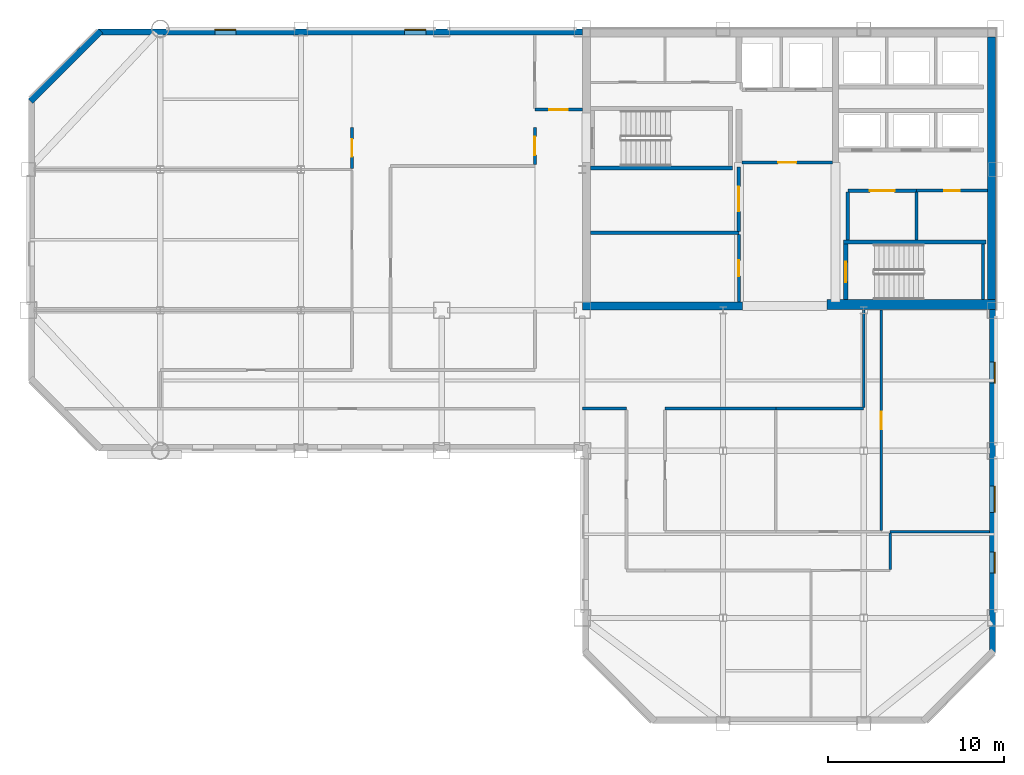
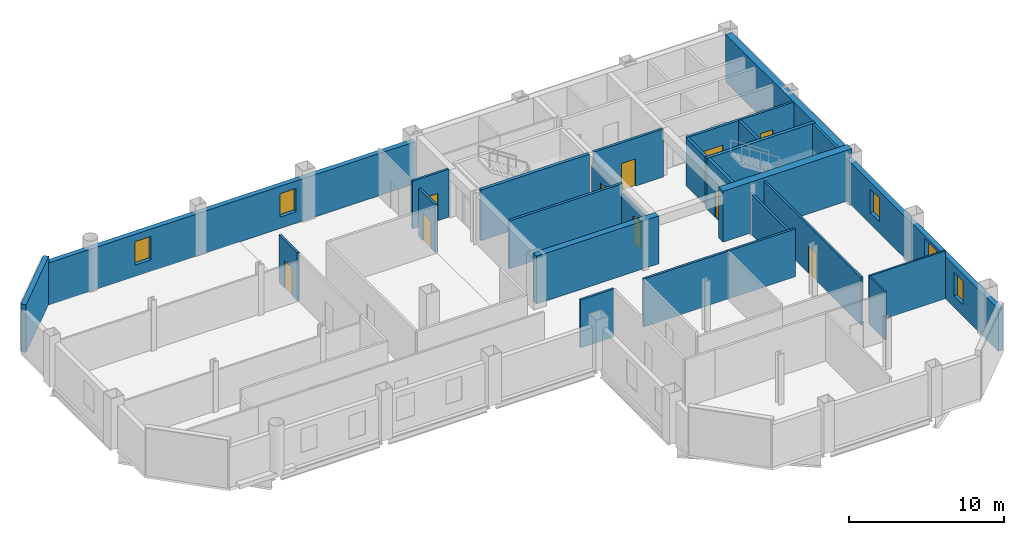
# One storey, part 5 of 10: 28 walls, 10 doors, 5 windows, 15 openings.
"""IFC4 building model written with IfcOpenShell, lengths in metres."""

from ifc_helpers import new_model, si_unit, direction, frame, frame_2d, origin, place, context, subcontext, project, spatial, rectangle, extrude, material, layer, layer_set, type_object, element, fill, save


model = new_model("IFC4")

# Units and contexts
model_context = context("Model", 3, precision=1e-05, world=origin(), true_north=direction((0.0, 1.0)))
body_context = subcontext(model_context, "Body", "Model", "MODEL_VIEW")
ifc_project = project(units=[si_unit("LENGTHUNIT", "METRE"), si_unit("AREAUNIT", "SQUARE_METRE"), si_unit("VOLUMEUNIT", "CUBIC_METRE"), si_unit("PLANEANGLEUNIT", "RADIAN"), si_unit("MASSUNIT", "GRAM", prefix="KILO")], contexts=[model_context])

# Site, building, storey
site_placement = place(None, origin())
site = spatial("IfcSite", under=ifc_project, at=site_placement, CompositionType="ELEMENT")
building_placement = place(site_placement, origin())
building = spatial("IfcBuilding", under=site, at=building_placement, Name="Qianrong Seaharbour Tower", CompositionType="ELEMENT")
storey_placement = place(building_placement, frame((0.0, 0.0, 249.800048828125)))
storey = spatial("IfcBuildingStorey", under=building, at=storey_placement, Name="L60", CompositionType="ELEMENT", Elevation=249.800048828125)

# Walls
ifc_material_1 = material(Name="Concrete C60/75", Category="concrete")
ifc_layer_1 = layer(ifc_material_1, 0.4599609375)
ifc_layer_set_1 = layer_set([ifc_layer_1], Name="Concrete C60/75")
wall_type_1 = type_object("IfcWallType", Name="WALL-CORE-460", PredefinedType="SHEAR", material=ifc_layer_set_1)
wall_1_placement = place(storey_placement, frame((63.77001953125, 36.320068359375, 0.0), z_axis=(0.0, 0.0, 1.0), x_axis=(0.0, 1.0, 0.0)))
element("IfcWall", 1, at=wall_1_placement, inside=storey, type_object=wall_type_1, Name="L60 East Core Shear Wall", PredefinedType="SHEAR", context=body_context, shape_type="SweptSolid", body=[
    extrude(rectangle(XDim=15.219970703125, YDim=0.4599609375, at=frame_2d((7.60986328125, 0.0))), origin(), (0.0, 0.0, 1.0), 3.77490234375),
])
wall_2_placement = place(storey_placement, frame((40.5, 36.22998046875, 0.0), z_axis=(0.0, 0.0, 1.0), x_axis=(1.0, 0.0, 0.0)))
element("IfcWall", 2, at=wall_2_placement, inside=storey, type_object=wall_type_1, Name="L60 South Core Shear Wall S1", PredefinedType="SHEAR", context=body_context, shape_type="SweptSolid", body=[
    extrude(rectangle(XDim=9.10009765625, YDim=0.4599609375, at=frame_2d((4.550048828125, 0.0))), origin(), (0.0, 0.0, 1.0), 3.77490234375),
])
ifc_material_2 = material(Name="Concrete C70/85", Category="concrete")
ifc_layer_2 = layer(ifc_material_2, 0.580078125)
ifc_layer_set_2 = layer_set([ifc_layer_2], Name="Concrete C70/85")
wall_type_2 = type_object("IfcWallType", Name="WALL-CORE-580", PredefinedType="SHEAR", material=ifc_layer_set_2)
wall_3_placement = place(storey_placement, frame((54.39990234375, 36.320068359375, 0.0), z_axis=(0.0, 0.0, 1.0), x_axis=(1.0, 0.0, 0.0)))
element("IfcWall", 3, at=wall_3_placement, inside=storey, type_object=wall_type_2, Name="L60 South Core Shear Wall S3", PredefinedType="SHEAR", context=body_context, shape_type="SweptSolid", body=[
    extrude(rectangle(XDim=9.60009765625, YDim=0.580078125, at=frame_2d((4.800048828125, 0.0))), origin(), (0.0, 0.0, 1.0), 4.0),
])

# Wall, opening, door
ifc_material_3 = material(Name="Fire-rated acoustic gypsum board partition")
ifc_layer_3 = layer(ifc_material_3, 0.1650390625)
ifc_layer_set_3 = layer_set([ifc_layer_3], Name="Fire-rated acoustic gypsum board partition")
wall_type_3 = type_object("IfcWallType", Name="WALL-CORR-PART-165", PredefinedType="PARTITIONING", material=ifc_layer_set_3)
wall_4_placement = place(storey_placement, frame((37.800048828125, 47.39990234375, 0.0), z_axis=(0.0, 0.0, 1.0), x_axis=(1.0, 0.0, 0.0)))
wall_4 = element("IfcWall", 4, at=wall_4_placement, inside=storey, type_object=wall_type_3, Name="L60 Interior Partition Wall 001", PredefinedType="PARTITIONING", context=body_context, shape_type="SweptSolid", body=[
    extrude(rectangle(XDim=2.699951171875, YDim=0.1650390625, at=frame_2d((1.35009765625, 0.0))), origin(), (0.0, 0.0, 1.0), 3.77490234375),
])
opening_1_placement = place(wall_4_placement, frame((0.824951171875, 0.0, 0.0)))
opening_1 = element("IfcOpeningElement", 5, at=opening_1_placement, cuts=wall_4, Name="Opening DC-01", PredefinedType="OPENING", context=body_context, shape_type="SweptSolid", body=[
    extrude(rectangle(XDim=1.050048828125, YDim=2.14990234375, at=frame_2d((0.52490234375, 1.074951171875))), frame((0.0, 0.092529296875, 0.0), z_axis=(0.0, -1.0, 0.0), x_axis=(1.0, 0.0, 0.0)), (0.0, 0.0, 1.0), 0.18505859375),
])
ifc_material_4 = material(Name="Acoustic timber and galvanized steel fire door assembly", Category="steel")
door_type_1 = type_object("IfcDoorType", Name="DOOR-CORR-FD60-1050x2150", OperationType="NOTDEFINED", PredefinedType="DOOR", material=ifc_material_4)
door_1_placement = place(opening_1_placement, origin())
door_1 = element("IfcDoor", 6, at=door_1_placement, inside=storey, type_object=door_type_1, Name="L60 Smokeproof Stair Vestibule ST-1 Door", OperationType="SINGLE_SWING_LEFT", OverallHeight=2.14990234375, OverallWidth=1.050048828125, PredefinedType="DOOR", context=body_context, shape_type="SweptSolid", body=[
    extrude(rectangle(XDim=1.050048828125, YDim=2.14990234375, at=frame_2d((0.52490234375, 1.074951171875))), frame((0.0, 0.02490234375, 0.0), z_axis=(0.0, -1.0, 0.0), x_axis=(1.0, 0.0, 0.0)), (0.0, 0.0, 1.0), 0.050048828125),
])
fill(opening_1, door_1)

wall_5_placement = place(storey_placement, frame((37.800048828125, 44.2744140625, 0.0), z_axis=(0.0, 0.0, 1.0), x_axis=(0.0, 1.0, 0.0)))
wall_5 = element("IfcWall", 7, at=wall_5_placement, inside=storey, type_object=wall_type_3, Name="L60 Interior Partition Wall 002", PredefinedType="PARTITIONING", context=body_context, shape_type="SweptSolid", body=[
    extrude(rectangle(XDim=2.12548828125, YDim=0.1650390625, at=frame_2d((1.062744140625, 0.0))), origin(), (0.0, 0.0, 1.0), 3.77490234375),
])
opening_2_placement = place(wall_5_placement, frame((0.537841796875, 0.0, 0.0)))
opening_2 = element("IfcOpeningElement", 8, at=opening_2_placement, cuts=wall_5, Name="Opening DC-01", PredefinedType="OPENING", context=body_context, shape_type="SweptSolid", body=[
    extrude(rectangle(XDim=1.050048828125, YDim=2.14990234375, at=frame_2d((0.52490234375, 1.074951171875))), frame((0.0, 0.092529296875, 0.0), z_axis=(0.0, -1.0, 0.0), x_axis=(1.0, 0.0, 0.0)), (0.0, 0.0, 1.0), 0.18505859375),
])
door_2_placement = place(opening_2_placement, origin())
door_2 = element("IfcDoor", 9, at=door_2_placement, inside=storey, type_object=door_type_1, Name="L60 Smokeproof Stair Vestibule ST-1 Door", OperationType="SINGLE_SWING_RIGHT", OverallHeight=2.14990234375, OverallWidth=1.050048828125, PredefinedType="DOOR", context=body_context, shape_type="SweptSolid", body=[
    extrude(rectangle(XDim=1.050048828125, YDim=2.14990234375, at=frame_2d((0.52490234375, 1.074951171875))), frame((0.0, 0.02490234375, 0.0), z_axis=(0.0, -1.0, 0.0), x_axis=(1.0, 0.0, 0.0)), (0.0, 0.0, 1.0), 0.050048828125),
])
fill(opening_2, door_2)

wall_6_placement = place(storey_placement, frame((49.39990234375, 36.4599609375, 0.0), z_axis=(0.0, 0.0, 1.0), x_axis=(0.0, 1.0, 0.0)))
wall_6 = element("IfcWall", 10, at=wall_6_placement, inside=storey, type_object=wall_type_3, Name="L60 Interior Partition Wall 007", PredefinedType="PARTITIONING", context=body_context, shape_type="SweptSolid", body=[
    extrude(rectangle(XDim=3.85302734375, YDim=0.1650390625, at=frame_2d((1.926513671875, 0.0))), origin(), (0.0, 0.0, 1.0), 3.016845703125),
])
opening_3_placement = place(wall_6_placement, frame((1.4765625, 0.0, 0.0)))
opening_3 = element("IfcOpeningElement", 11, at=opening_3_placement, cuts=wall_6, Name="Opening DS-01", PredefinedType="OPENING", context=body_context, shape_type="SweptSolid", body=[
    extrude(rectangle(XDim=0.89990234375, YDim=2.14990234375, at=frame_2d((0.449951171875, 1.074951171875))), frame((0.0, 0.092529296875, 0.0), z_axis=(0.0, -1.0, 0.0), x_axis=(1.0, 0.0, 0.0)), (0.0, 0.0, 1.0), 0.18505859375),
])
door_type_2 = type_object("IfcDoorType", Name="DOOR-STORE-900x2150", OperationType="NOTDEFINED", PredefinedType="DOOR", material=ifc_material_4)
door_3_placement = place(opening_3_placement, origin())
door_3 = element("IfcDoor", 12, at=door_3_placement, inside=storey, type_object=door_type_2, Name="L60 Corporate Archive Room Door", OperationType="SINGLE_SWING_LEFT", OverallHeight=2.14990234375, OverallWidth=0.89990234375, PredefinedType="DOOR", context=body_context, shape_type="SweptSolid", body=[
    extrude(rectangle(XDim=0.89990234375, YDim=2.14990234375, at=frame_2d((0.449951171875, 1.074951171875))), frame((0.0, 0.02490234375, 0.0), z_axis=(0.0, -1.0, 0.0), x_axis=(1.0, 0.0, 0.0)), (0.0, 0.0, 1.0), 0.050048828125),
])
fill(opening_3, door_3)

wall_7_placement = place(storey_placement, frame((63.5400390625, 42.800048828125, 0.0), z_axis=(0.0, 0.0, 1.0), x_axis=(-1.0, 0.0, 0.0)))
wall_7 = element("IfcWall", 13, at=wall_7_placement, inside=storey, type_object=wall_type_3, Name="L60 Interior Partition Wall 012", PredefinedType="PARTITIONING", context=body_context, shape_type="SweptSolid", body=[
    extrude(rectangle(XDim=4.0400390625, YDim=0.1650390625, at=frame_2d((2.02001953125, 0.0))), origin(), (0.0, 0.0, 1.0), 3.77490234375),
])
opening_4_placement = place(wall_7_placement, frame((1.570068359375, 0.0, 0.0)))
opening_4 = element("IfcOpeningElement", 14, at=opening_4_placement, cuts=wall_7, Name="Opening DS-01", PredefinedType="OPENING", context=body_context, shape_type="SweptSolid", body=[
    extrude(rectangle(XDim=0.89990234375, YDim=2.14990234375, at=frame_2d((0.449951171875, 1.074951171875))), frame((0.0, 0.092529296875, 0.0), z_axis=(0.0, -1.0, 0.0), x_axis=(1.0, 0.0, 0.0)), (0.0, 0.0, 1.0), 0.18505859375),
])
door_4_placement = place(opening_4_placement, origin())
door_4 = element("IfcDoor", 15, at=door_4_placement, inside=storey, type_object=door_type_2, Name="L60 Cleaner Store Room Door", OperationType="SINGLE_SWING_RIGHT", OverallHeight=2.14990234375, OverallWidth=0.89990234375, PredefinedType="DOOR", context=body_context, shape_type="SweptSolid", body=[
    extrude(rectangle(XDim=0.89990234375, YDim=2.14990234375, at=frame_2d((0.449951171875, 1.074951171875))), frame((0.0, 0.02490234375, 0.0), z_axis=(0.0, -1.0, 0.0), x_axis=(1.0, 0.0, 0.0)), (0.0, 0.0, 1.0), 0.050048828125),
])
fill(opening_4, door_4)

wall_8_placement = place(storey_placement, frame((27.39990234375, 44.056884765625, 0.0), z_axis=(0.0, 0.0, 1.0), x_axis=(0.0, 1.0, 0.0)))
wall_8 = element("IfcWall", 16, at=wall_8_placement, inside=storey, type_object=wall_type_3, Name="L60 Interior Partition Wall 022", PredefinedType="PARTITIONING", context=body_context, shape_type="SweptSolid", body=[
    extrude(rectangle(XDim=2.343017578125, YDim=0.1650390625, at=frame_2d((1.17138671875, 0.0))), origin(), (0.0, 0.0, 1.0), 3.77490234375),
])
opening_5_placement = place(wall_8_placement, frame((0.67138671875, 0.0, 0.0)))
opening_5 = element("IfcOpeningElement", 17, at=opening_5_placement, cuts=wall_8, Name="Opening DO-01", PredefinedType="OPENING", context=body_context, shape_type="SweptSolid", body=[
    extrude(rectangle(XDim=1.0, YDim=2.14990234375, at=frame_2d((0.5, 1.074951171875))), frame((0.0, 0.092529296875, 0.0), z_axis=(0.0, -1.0, 0.0), x_axis=(1.0, 0.0, 0.0)), (0.0, 0.0, 1.0), 0.18505859375),
])
door_type_3 = type_object("IfcDoorType", Name="DOOR-OFFICE-1000x2150", OperationType="NOTDEFINED", PredefinedType="DOOR", material=ifc_material_4)
door_5_placement = place(opening_5_placement, origin())
door_5 = element("IfcDoor", 18, at=door_5_placement, inside=storey, type_object=door_type_3, Name="L60 Hospitality Dining Room 3 Door", OperationType="SINGLE_SWING_RIGHT", OverallHeight=2.14990234375, OverallWidth=1.0, PredefinedType="DOOR", context=body_context, shape_type="SweptSolid", body=[
    extrude(rectangle(XDim=1.0, YDim=2.14990234375, at=frame_2d((0.5, 1.074951171875))), frame((0.0, 0.02490234375, 0.0), z_axis=(0.0, -1.0, 0.0), x_axis=(1.0, 0.0, 0.0)), (0.0, 0.0, 1.0), 0.050048828125),
])
fill(opening_5, door_5)

# Walls
wall_9_placement = place(storey_placement, frame((51.5, 30.39990234375, 0.0), z_axis=(0.0, 0.0, 1.0), x_axis=(-1.0, 0.0, 0.0)))
element("IfcWall", 19, at=wall_9_placement, inside=storey, type_object=wall_type_3, Name="L60 Interior Partition Wall 025", PredefinedType="PARTITIONING", context=body_context, shape_type="SweptSolid", body=[
    extrude(rectangle(XDim=6.300048828125, YDim=0.1650390625, at=frame_2d((3.14990234375, 0.0))), origin(), (0.0, 0.0, 1.0), 3.77490234375),
])
wall_10_placement = place(storey_placement, frame((56.5, 36.0, 0.0), z_axis=(0.0, 0.0, 1.0), x_axis=(0.0, -1.0, 0.0)))
element("IfcWall", 20, at=wall_10_placement, inside=storey, type_object=wall_type_3, Name="L60 Interior Partition Wall 026", PredefinedType="PARTITIONING", context=body_context, shape_type="SweptSolid", body=[
    extrude(rectangle(XDim=5.525390625, YDim=0.1650390625, at=frame_2d((2.7626953125, 0.0))), origin(), (0.0, 0.0, 1.0), 3.178955078125),
])
wall_11_placement = place(storey_placement, frame((56.5, 30.39990234375, 0.0), z_axis=(0.0, 0.0, 1.0), x_axis=(-1.0, 0.0, 0.0)))
element("IfcWall", 21, at=wall_11_placement, inside=storey, type_object=wall_type_3, Name="L60 Interior Partition Wall 027", PredefinedType="PARTITIONING", context=body_context, shape_type="SweptSolid", body=[
    extrude(rectangle(XDim=5.0, YDim=0.1650390625, at=frame_2d((2.5, 0.0))), origin(), (0.0, 0.0, 1.0), 3.77490234375),
])
wall_12_placement = place(storey_placement, frame((43.0, 30.39990234375, 0.0), z_axis=(0.0, 0.0, 1.0), x_axis=(-1.0, 0.0, 0.0)))
element("IfcWall", 22, at=wall_12_placement, inside=storey, type_object=wall_type_3, Name="L60 Interior Partition Wall 028", PredefinedType="PARTITIONING", context=body_context, shape_type="SweptSolid", body=[
    extrude(rectangle(XDim=2.5, YDim=0.1650390625, at=frame_2d((1.25, 0.0))), origin(), (0.0, 0.0, 1.0), 3.77490234375),
])
ifc_material_5 = material(Name="Unitised red brick on Precast concrete C45/55", Category="masonry")
ifc_layer_4 = layer(ifc_material_5, 0.360107421875)
ifc_layer_set_4 = layer_set([ifc_layer_4], Name="Unitised red brick on Precast concrete C45/55")
wall_type_4 = type_object("IfcWallType", Name="WALL-EXT-BRICK-RED-360", PredefinedType="SOLIDWALL", material=ifc_layer_set_4)
wall_13_placement = place(storey_placement, frame((9.127197265625, 47.872802734375, 0.0), z_axis=(0.0, 0.0, 1.0), x_axis=(0.707106781187, 0.707106781187, 0.0)))
element("IfcWall", 23, at=wall_13_placement, inside=storey, type_object=wall_type_4, Name="L60 Exterior Masonry Facade Wall E04", PredefinedType="SOLIDWALL", context=body_context, shape_type="SweptSolid", body=[
    extrude(rectangle(XDim=5.65673828125, YDim=0.360107421875, at=frame_2d((2.828369140625, 0.0))), origin(), (0.0, 0.0, 1.0), 3.77490234375),
])

# Wall, openings, windows
wall_14_placement = place(storey_placement, frame((13.0, 51.820068359375, 0.0), z_axis=(0.0, 0.0, 1.0), x_axis=(1.0, 0.0, 0.0)))
wall_14 = element("IfcWall", 24, at=wall_14_placement, inside=storey, type_object=wall_type_4, Name="L60 Exterior Masonry Facade Wall NORTH_WING", PredefinedType="SOLIDWALL", context=body_context, shape_type="SweptSolid", body=[
    extrude(rectangle(XDim=27.52001953125, YDim=0.360107421875, at=frame_2d((13.760009765625, 0.0))), origin(), (0.0, 0.0, 1.0), 3.324951171875),
])
opening_6_placement = place(wall_14_placement, frame((6.60009765625, 0.0, 0.89990234375)))
opening_6 = element("IfcOpeningElement", 25, at=opening_6_placement, cuts=wall_14, Name="Opening WN-01", PredefinedType="OPENING", context=body_context, shape_type="SweptSolid", body=[
    extrude(rectangle(XDim=1.199951171875, YDim=1.85009765625, at=frame_2d((0.60009765625, 0.925048828125))), frame((0.0, 0.18994140625, 0.0), z_axis=(0.0, -1.0, 0.0), x_axis=(1.0, 0.0, 0.0)), (0.0, 0.0, 1.0), 0.380126953125),
])
opening_7_placement = place(wall_14_placement, frame((17.39990234375, 0.0, 0.89990234375)))
opening_7 = element("IfcOpeningElement", 26, at=opening_7_placement, cuts=wall_14, Name="Opening WN-01", PredefinedType="OPENING", context=body_context, shape_type="SweptSolid", body=[
    extrude(rectangle(XDim=1.199951171875, YDim=1.85009765625, at=frame_2d((0.60009765625, 0.925048828125))), frame((0.0, 0.18994140625, 0.0), z_axis=(0.0, -1.0, 0.0), x_axis=(1.0, 0.0, 0.0)), (0.0, 0.0, 1.0), 0.380126953125),
])
ifc_material_6 = material(Name="Insulated low-e double glazing in thermally broken aluminium 6063-T6 frame", Category="aluminium")
window_type_1 = type_object("IfcWindowType", Name="WIN-PUNCH-1200x1850", PartitioningType="DOUBLE_PANEL_VERTICAL", PredefinedType="WINDOW", material=ifc_material_6)
window_1_placement = place(opening_6_placement, origin())
window_1 = element("IfcWindow", 27, at=window_1_placement, inside=storey, type_object=window_type_1, Name="L60 Deep-Set Punched Window 05.02", OverallHeight=1.85009765625, OverallWidth=1.199951171875, PartitioningType="DOUBLE_PANEL_VERTICAL", PredefinedType="WINDOW", context=body_context, shape_type="SweptSolid", body=[
    extrude(rectangle(XDim=1.199951171875, YDim=1.85009765625, at=frame_2d((0.60009765625, 0.925048828125))), frame((0.0, 0.150146484375, 0.0), z_axis=(0.0, -1.0, 0.0), x_axis=(1.0, 0.0, 0.0)), (0.0, 0.0, 1.0), 0.06005859375),
])
fill(opening_6, window_1)
window_2_placement = place(opening_7_placement, origin())
window_2 = element("IfcWindow", 28, at=window_2_placement, inside=storey, type_object=window_type_1, Name="L60 Deep-Set Punched Window 05.05", OverallHeight=1.85009765625, OverallWidth=1.199951171875, PartitioningType="DOUBLE_PANEL_VERTICAL", PredefinedType="WINDOW", context=body_context, shape_type="SweptSolid", body=[
    extrude(rectangle(XDim=1.199951171875, YDim=1.85009765625, at=frame_2d((0.60009765625, 0.925048828125))), frame((0.0, 0.150146484375, 0.0), z_axis=(0.0, -1.0, 0.0), x_axis=(1.0, 0.0, 0.0)), (0.0, 0.0, 1.0), 0.06005859375),
])
fill(opening_7, window_2)

wall_15_placement = place(storey_placement, frame((63.820068359375, 36.050048828125, 0.0), z_axis=(0.0, 0.0, 1.0), x_axis=(0.0, -1.0, 0.0)))
wall_15 = element("IfcWall", 29, at=wall_15_placement, inside=storey, type_object=wall_type_4, Name="L60 Exterior Masonry Facade Wall EAST_WING", PredefinedType="SOLIDWALL", context=body_context, shape_type="SweptSolid", body=[
    extrude(rectangle(XDim=19.550048828125, YDim=0.360107421875, at=frame_2d((9.77490234375, 0.0))), origin(), (0.0, 0.0, 1.0), 3.324951171875),
])
opening_8_placement = place(wall_15_placement, frame((3.0, 0.0, 0.89990234375)))
opening_8 = element("IfcOpeningElement", 30, at=opening_8_placement, cuts=wall_15, Name="Opening WN-01", PredefinedType="OPENING", context=body_context, shape_type="SweptSolid", body=[
    extrude(rectangle(XDim=1.199951171875, YDim=1.85009765625, at=frame_2d((0.60009765625, 0.925048828125))), frame((0.0, 0.18994140625, 0.0), z_axis=(0.0, -1.0, 0.0), x_axis=(1.0, 0.0, 0.0)), (0.0, 0.0, 1.0), 0.380126953125),
])
opening_9_placement = place(wall_15_placement, frame((10.050048828125, 0.0, 0.699951171875)))
opening_9 = element("IfcOpeningElement", 31, at=opening_9_placement, cuts=wall_15, Name="Opening WN-08", PredefinedType="OPENING", context=body_context, shape_type="SweptSolid", body=[
    extrude(rectangle(XDim=1.5, YDim=2.39990234375, at=frame_2d((0.75, 1.199951171875))), frame((0.0, 0.18994140625, 0.0), z_axis=(0.0, -1.0, 0.0), x_axis=(1.0, 0.0, 0.0)), (0.0, 0.0, 1.0), 0.380126953125),
])
opening_10_placement = place(wall_15_placement, frame((13.800048828125, 0.0, 0.89990234375)))
opening_10 = element("IfcOpeningElement", 32, at=opening_10_placement, cuts=wall_15, Name="Opening WN-01", PredefinedType="OPENING", context=body_context, shape_type="SweptSolid", body=[
    extrude(rectangle(XDim=1.199951171875, YDim=1.85009765625, at=frame_2d((0.60009765625, 0.925048828125))), frame((0.0, 0.18994140625, 0.0), z_axis=(0.0, -1.0, 0.0), x_axis=(1.0, 0.0, 0.0)), (0.0, 0.0, 1.0), 0.380126953125),
])
window_3_placement = place(opening_8_placement, origin())
window_3 = element("IfcWindow", 33, at=window_3_placement, inside=storey, type_object=window_type_1, Name="L60 Deep-Set Punched Window 06.01", OverallHeight=1.85009765625, OverallWidth=1.199951171875, PartitioningType="DOUBLE_PANEL_VERTICAL", PredefinedType="WINDOW", context=body_context, shape_type="SweptSolid", body=[
    extrude(rectangle(XDim=1.199951171875, YDim=1.85009765625, at=frame_2d((0.60009765625, 0.925048828125))), frame((0.0, 0.150146484375, 0.0), z_axis=(0.0, -1.0, 0.0), x_axis=(1.0, 0.0, 0.0)), (0.0, 0.0, 1.0), 0.06005859375),
])
fill(opening_8, window_3)
window_4_placement = place(opening_10_placement, origin())
window_4 = element("IfcWindow", 34, at=window_4_placement, inside=storey, type_object=window_type_1, Name="L60 Deep-Set Punched Window 06.04", OverallHeight=1.85009765625, OverallWidth=1.199951171875, PartitioningType="DOUBLE_PANEL_VERTICAL", PredefinedType="WINDOW", context=body_context, shape_type="SweptSolid", body=[
    extrude(rectangle(XDim=1.199951171875, YDim=1.85009765625, at=frame_2d((0.60009765625, 0.925048828125))), frame((0.0, 0.150146484375, 0.0), z_axis=(0.0, -1.0, 0.0), x_axis=(1.0, 0.0, 0.0)), (0.0, 0.0, 1.0), 0.06005859375),
])
fill(opening_10, window_4)
window_type_2 = type_object("IfcWindowType", Name="WIN-PUNCH-1500x2400", PartitioningType="DOUBLE_PANEL_HORIZONTAL", PredefinedType="WINDOW", material=ifc_material_6)
window_5_placement = place(opening_9_placement, origin())
window_5 = element("IfcWindow", 35, at=window_5_placement, inside=storey, type_object=window_type_2, Name="L60 Deep-Set Punched Window 06.03", OverallHeight=2.39990234375, OverallWidth=1.5, PartitioningType="DOUBLE_PANEL_HORIZONTAL", PredefinedType="WINDOW", context=body_context, shape_type="SweptSolid", body=[
    extrude(rectangle(XDim=1.5, YDim=2.39990234375, at=frame_2d((0.75, 1.199951171875))), frame((0.0, 0.150146484375, 0.0), z_axis=(0.0, -1.0, 0.0), x_axis=(1.0, 0.0, 0.0)), (0.0, 0.0, 1.0), 0.06005859375),
])
fill(opening_9, window_5)

# Wall, opening, door
ifc_material_7 = material(Name="Double fire-rated gypsum board acoustic partition")
ifc_layer_5 = layer(ifc_material_7, 0.18994140625)
ifc_layer_set_5 = layer_set([ifc_layer_5], Name="Double fire-rated gypsum board acoustic partition")
wall_type_5 = type_object("IfcWallType", Name="WALL-FIRE-PART-190", PredefinedType="PARTITIONING", material=ifc_layer_set_5)
wall_16_placement = place(storey_placement, frame((54.73291015625, 44.39990234375, 0.0), z_axis=(0.0, 0.0, 1.0), x_axis=(-1.0, 0.0, 0.0)))
wall_16 = element("IfcWall", 36, at=wall_16_placement, inside=storey, type_object=wall_type_5, Name="L60 Interior Partition Wall 006", PredefinedType="PARTITIONING", context=body_context, shape_type="SweptSolid", body=[
    extrude(rectangle(XDim=5.166015625, YDim=0.18994140625, at=frame_2d((2.5830078125, 0.0))), origin(), (0.0, 0.0, 1.0), 3.77490234375),
])
opening_11_placement = place(wall_16_placement, frame((2.05810546875, 0.0, 0.0)))
opening_11 = element("IfcOpeningElement", 37, at=opening_11_placement, cuts=wall_16, Name="Opening DC-01", PredefinedType="OPENING", context=body_context, shape_type="SweptSolid", body=[
    extrude(rectangle(XDim=1.050048828125, YDim=2.14990234375, at=frame_2d((0.52490234375, 1.074951171875))), frame((0.0, 0.10498046875, 0.0), z_axis=(0.0, -1.0, 0.0), x_axis=(1.0, 0.0, 0.0)), (0.0, 0.0, 1.0), 0.2099609375),
])
door_6_placement = place(opening_11_placement, origin())
door_6 = element("IfcDoor", 38, at=door_6_placement, inside=storey, type_object=door_type_1, Name="L60 Firefighting Lift Lobby Door", OperationType="SINGLE_SWING_RIGHT", OverallHeight=2.14990234375, OverallWidth=1.050048828125, PredefinedType="DOOR", context=body_context, shape_type="SweptSolid", body=[
    extrude(rectangle(XDim=1.050048828125, YDim=2.14990234375, at=frame_2d((0.52490234375, 1.074951171875))), frame((0.0, 0.02490234375, 0.0), z_axis=(0.0, -1.0, 0.0), x_axis=(1.0, 0.0, 0.0)), (0.0, 0.0, 1.0), 0.050048828125),
])
fill(opening_11, door_6)

wall_17_placement = place(storey_placement, frame((49.39990234375, 40.487060546875, 0.0), z_axis=(0.0, 0.0, 1.0), x_axis=(0.0, 1.0, 0.0)))
wall_17 = element("IfcWall", 39, at=wall_17_placement, inside=storey, type_object=wall_type_5, Name="L60 Interior Partition Wall 008", PredefinedType="PARTITIONING", context=body_context, shape_type="SweptSolid", body=[
    extrude(rectangle(XDim=3.662841796875, YDim=0.18994140625, at=frame_2d((1.83154296875, 0.0))), origin(), (0.0, 0.0, 1.0), 3.016845703125),
])
opening_12_placement = place(wall_17_placement, frame((1.131591796875, 0.0, 0.0)))
opening_12 = element("IfcOpeningElement", 40, at=opening_12_placement, cuts=wall_17, Name="Opening DP-01", PredefinedType="OPENING", context=body_context, shape_type="SweptSolid", body=[
    extrude(rectangle(XDim=1.39990234375, YDim=2.25, at=frame_2d((0.699951171875, 1.125))), frame((0.0, 0.10498046875, 0.0), z_axis=(0.0, -1.0, 0.0), x_axis=(1.0, 0.0, 0.0)), (0.0, 0.0, 1.0), 0.2099609375),
])
door_type_4 = type_object("IfcDoorType", Name="DOOR-PLANT-PAIR-1400x2250", OperationType="DOUBLE_DOOR_SINGLE_SWING", PredefinedType="DOOR", material=ifc_material_4)
door_7_placement = place(opening_12_placement, origin())
door_7 = element("IfcDoor", 41, at=door_7_placement, inside=storey, type_object=door_type_4, Name="L60 Telecom Server Room Door", OperationType="DOUBLE_DOOR_SINGLE_SWING", OverallHeight=2.25, OverallWidth=1.39990234375, PredefinedType="DOOR", context=body_context, shape_type="SweptSolid", body=[
    extrude(rectangle(XDim=1.39990234375, YDim=2.25, at=frame_2d((0.699951171875, 1.125))), frame((0.0, 0.02490234375, 0.0), z_axis=(0.0, -1.0, 0.0), x_axis=(1.0, 0.0, 0.0)), (0.0, 0.0, 1.0), 0.050048828125),
])
fill(opening_12, door_7)

# Walls
wall_18_placement = place(storey_placement, frame((55.60009765625, 42.712890625, 0.0), z_axis=(0.0, 0.0, 1.0), x_axis=(0.0, -1.0, 0.0)))
element("IfcWall", 42, at=wall_18_placement, inside=storey, type_object=wall_type_5, Name="L60 Interior Partition Wall 009", PredefinedType="PARTITIONING", context=body_context, shape_type="SweptSolid", body=[
    extrude(rectangle(XDim=2.73095703125, YDim=0.18994140625, at=frame_2d((1.365478515625, 0.0))), origin(), (0.0, 0.0, 1.0), 3.77490234375),
])
wall_19_placement = place(storey_placement, frame((40.9599609375, 40.39990234375, 0.0), z_axis=(0.0, 0.0, 1.0), x_axis=(1.0, 0.0, 0.0)))
element("IfcWall", 43, at=wall_19_placement, inside=storey, type_object=wall_type_5, Name="L60 Interior Partition Wall 010", PredefinedType="PARTITIONING", context=body_context, shape_type="SweptSolid", body=[
    extrude(rectangle(XDim=8.43994140625, YDim=0.18994140625, at=frame_2d((4.219970703125, 0.0))), origin(), (0.0, 0.0, 1.0), 3.77490234375),
])

# Wall, opening, door
wall_20_placement = place(storey_placement, frame((59.5, 42.800048828125, 0.0), z_axis=(0.0, 0.0, 1.0), x_axis=(-1.0, 0.0, 0.0)))
wall_20 = element("IfcWall", 44, at=wall_20_placement, inside=storey, type_object=wall_type_5, Name="L60 Interior Partition Wall 011", PredefinedType="PARTITIONING", context=body_context, shape_type="SweptSolid", body=[
    extrude(rectangle(XDim=3.89990234375, YDim=0.18994140625, at=frame_2d((1.949951171875, 0.0))), origin(), (0.0, 0.0, 1.0), 3.77490234375),
])
opening_13_placement = place(wall_20_placement, frame((1.25, 0.0, 0.0)))
opening_13 = element("IfcOpeningElement", 45, at=opening_13_placement, cuts=wall_20, Name="Opening DP-01", PredefinedType="OPENING", context=body_context, shape_type="SweptSolid", body=[
    extrude(rectangle(XDim=1.39990234375, YDim=2.25, at=frame_2d((0.699951171875, 1.125))), frame((0.0, 0.10498046875, 0.0), z_axis=(0.0, -1.0, 0.0), x_axis=(1.0, 0.0, 0.0)), (0.0, 0.0, 1.0), 0.2099609375),
])
door_8_placement = place(opening_13_placement, origin())
door_8 = element("IfcDoor", 46, at=door_8_placement, inside=storey, type_object=door_type_4, Name="L60 Electrical Substation Door", OperationType="DOUBLE_DOOR_SINGLE_SWING", OverallHeight=2.25, OverallWidth=1.39990234375, PredefinedType="DOOR", context=body_context, shape_type="SweptSolid", body=[
    extrude(rectangle(XDim=1.39990234375, YDim=2.25, at=frame_2d((0.699951171875, 1.125))), frame((0.0, 0.02490234375, 0.0), z_axis=(0.0, -1.0, 0.0), x_axis=(1.0, 0.0, 0.0)), (0.0, 0.0, 1.0), 0.050048828125),
])
fill(opening_13, door_8)

# Wall
wall_21_placement = place(storey_placement, frame((59.5, 42.712890625, 0.0), z_axis=(0.0, 0.0, 1.0), x_axis=(0.0, -1.0, 0.0)))
element("IfcWall", 47, at=wall_21_placement, inside=storey, type_object=wall_type_5, Name="L60 Interior Partition Wall 014", PredefinedType="PARTITIONING", context=body_context, shape_type="SweptSolid", body=[
    extrude(rectangle(XDim=2.73095703125, YDim=0.18994140625, at=frame_2d((1.365478515625, 0.0))), origin(), (0.0, 0.0, 1.0), 3.77490234375),
])

# Wall, opening, door
ifc_material_8 = material(Name="Acoustic gypsum board stud partition")
ifc_layer_6 = layer(ifc_material_8, 0.14501953125)
ifc_layer_set_6 = layer_set([ifc_layer_6], Name="Acoustic gypsum board stud partition")
wall_type_6 = type_object("IfcWallType", Name="WALL-OFFICE-PART-145", PredefinedType="PARTITIONING", material=ifc_layer_set_6)
wall_22_placement = place(storey_placement, frame((57.5, 36.0, 0.0), z_axis=(0.0, 0.0, 1.0), x_axis=(0.0, -1.0, 0.0)))
wall_22 = element("IfcWall", 48, at=wall_22_placement, inside=storey, type_object=wall_type_6, Name="L60 Interior Partition Wall 041", PredefinedType="PARTITIONING", context=body_context, shape_type="SweptSolid", body=[
    extrude(rectangle(XDim=12.525390625, YDim=0.14501953125, at=frame_2d((6.2626953125, 0.0))), origin(), (0.0, 0.0, 1.0), 3.77490234375),
])
opening_14_placement = place(wall_22_placement, frame((5.7626953125, 0.0, 0.0)))
opening_14 = element("IfcOpeningElement", 49, at=opening_14_placement, cuts=wall_22, Name="Opening DO-01", PredefinedType="OPENING", context=body_context, shape_type="SweptSolid", body=[
    extrude(rectangle(XDim=1.0, YDim=2.14990234375, at=frame_2d((0.5, 1.074951171875))), frame((0.0, 0.08251953125, 0.0), z_axis=(0.0, -1.0, 0.0), x_axis=(1.0, 0.0, 0.0)), (0.0, 0.0, 1.0), 0.1650390625),
])
door_9_placement = place(opening_14_placement, origin())
door_9 = element("IfcDoor", 50, at=door_9_placement, inside=storey, type_object=door_type_3, Name="L60 Staff Lounge 3 Door", OperationType="SINGLE_SWING_LEFT", OverallHeight=2.14990234375, OverallWidth=1.0, PredefinedType="DOOR", context=body_context, shape_type="SweptSolid", body=[
    extrude(rectangle(XDim=1.0, YDim=2.14990234375, at=frame_2d((0.5, 1.074951171875))), frame((0.0, 0.02490234375, 0.0), z_axis=(0.0, -1.0, 0.0), x_axis=(1.0, 0.0, 0.0)), (0.0, 0.0, 1.0), 0.050048828125),
])
fill(opening_14, door_9)

# Walls
ifc_material_9 = material(Name="Concrete C50/60", Category="concrete")
ifc_layer_7 = layer(ifc_material_9, 0.239990234375)
ifc_layer_set_7 = layer_set([ifc_layer_7], Name="Concrete C50/60")
wall_type_7 = type_object("IfcWallType", Name="WALL-SHAFT-RC240", PredefinedType="SOLIDWALL", material=ifc_layer_set_7)
wall_23_placement = place(storey_placement, frame((49.0400390625, 44.080078125, 0.0), z_axis=(0.0, 0.0, 1.0), x_axis=(-1.0, 0.0, 0.0)))
element("IfcWall", 51, at=wall_23_placement, inside=storey, type_object=wall_type_7, Name="L60 ST-1 Structural Stair Core Wall S", PredefinedType="SOLIDWALL", context=body_context, shape_type="SweptSolid", body=[
    extrude(rectangle(XDim=8.080078125, YDim=0.239990234375, at=frame_2d((4.0400390625, 0.0))), origin(), (0.0, 0.0, 1.0), 4.0),
])
wall_24_placement = place(storey_placement, frame((55.360107421875, 39.8701171875, 0.0), z_axis=(0.0, 0.0, 1.0), x_axis=(1.0, 0.0, 0.0)))
element("IfcWall", 52, at=wall_24_placement, inside=storey, type_object=wall_type_7, Name="L60 ST-2 Structural Stair Core Wall N", PredefinedType="SOLIDWALL", context=body_context, shape_type="SweptSolid", body=[
    extrude(rectangle(XDim=8.079833984375, YDim=0.239990234375, at=frame_2d((4.0400390625, 0.0))), origin(), (0.0, 0.0, 1.0), 4.0),
])

# Wall, opening, door
wall_25_placement = place(storey_placement, frame((55.47998046875, 39.75, 0.0), z_axis=(0.0, 0.0, 1.0), x_axis=(0.0, -1.0, 0.0)))
wall_25 = element("IfcWall", 53, at=wall_25_placement, inside=storey, type_object=wall_type_7, Name="L60 ST-2 Structural Stair Core Wall W", PredefinedType="SOLIDWALL", context=body_context, shape_type="SweptSolid", body=[
    extrude(rectangle(XDim=3.14990234375, YDim=0.239990234375, at=frame_2d((1.574951171875, 0.0))), origin(), (0.0, 0.0, 1.0), 4.0),
])
opening_15_placement = place(wall_25_placement, frame((1.0, 0.0, 0.0)))
opening_15 = element("IfcOpeningElement", 54, at=opening_15_placement, cuts=wall_25, Name="Opening SD-01", PredefinedType="OPENING", context=body_context, shape_type="SweptSolid", body=[
    extrude(rectangle(XDim=1.14990234375, YDim=2.199951171875, at=frame_2d((0.574951171875, 1.10009765625))), frame((0.0, 0.1298828125, 0.0), z_axis=(0.0, -1.0, 0.0), x_axis=(1.0, 0.0, 0.0)), (0.0, 0.0, 1.0), 0.260009765625),
])
door_type_5 = type_object("IfcDoorType", Name="DOOR-STAIR-FD60-1150x2200", OperationType="NOTDEFINED", PredefinedType="DOOR", material=ifc_material_4)
door_10_placement = place(opening_15_placement, origin())
door_10 = element("IfcDoor", 55, at=door_10_placement, inside=storey, type_object=door_type_5, Name="L60 ST-2 Protected Stair Door", OperationType="SINGLE_SWING_LEFT", OverallHeight=2.199951171875, OverallWidth=1.14990234375, PredefinedType="DOOR", context=body_context, shape_type="SweptSolid", body=[
    extrude(rectangle(XDim=1.14990234375, YDim=2.199951171875, at=frame_2d((0.574951171875, 1.10009765625))), frame((0.0, 0.02490234375, 0.0), z_axis=(0.0, -1.0, 0.0), x_axis=(1.0, 0.0, 0.0)), (0.0, 0.0, 1.0), 0.050048828125),
])
fill(opening_15, door_10)

# Walls
wall_26_placement = place(storey_placement, frame((63.2900390625, 36.60009765625, 0.0), z_axis=(0.0, 0.0, 1.0), x_axis=(0.0, 1.0, 0.0)))
element("IfcWall", 56, at=wall_26_placement, inside=storey, type_object=wall_type_7, Name="L60 ST-2 Structural Stair Core Wall E", PredefinedType="SOLIDWALL", context=body_context, shape_type="SweptSolid", body=[
    extrude(rectangle(XDim=3.14990234375, YDim=0.179931640625, at=frame_2d((1.574951171875, 0.0))), origin(), (0.0, 0.0, 1.0), 4.0),
])
ifc_material_10 = material(Name="Water-resistant cement board sanitary partition")
ifc_layer_8 = layer(ifc_material_10, 0.1298828125)
ifc_layer_set_8 = layer_set([ifc_layer_8], Name="Water-resistant cement board sanitary partition")
wall_type_8 = type_object("IfcWallType", Name="WALL-WET-PART-130", PredefinedType="PARTITIONING", material=ifc_layer_set_8)
wall_27_placement = place(storey_placement, frame((58.0, 23.343017578125, 0.0), z_axis=(0.0, 0.0, 1.0), x_axis=(0.0, -1.0, 0.0)))
element("IfcWall", 57, at=wall_27_placement, inside=storey, type_object=wall_type_8, Name="L60 Interior Partition Wall 035", PredefinedType="PARTITIONING", context=body_context, shape_type="SweptSolid", body=[
    extrude(rectangle(XDim=2.0859375, YDim=0.1298828125, at=frame_2d((1.04296875, 0.0))), origin(), (0.0, 0.0, 1.0), 3.77490234375),
])
wall_28_placement = place(storey_placement, frame((63.64794921875, 23.39990234375, 0.0), z_axis=(0.0, 0.0, 1.0), x_axis=(-1.0, 0.0, 0.0)))
element("IfcWall", 58, at=wall_28_placement, inside=storey, type_object=wall_type_8, Name="L60 Interior Partition Wall 042", PredefinedType="PARTITIONING", context=body_context, shape_type="SweptSolid", body=[
    extrude(rectangle(XDim=5.64794921875, YDim=0.1298828125, at=frame_2d((2.823974609375, 0.0))), origin(), (0.0, 0.0, 1.0), 3.77490234375),
])

save(model, "model.ifc")
